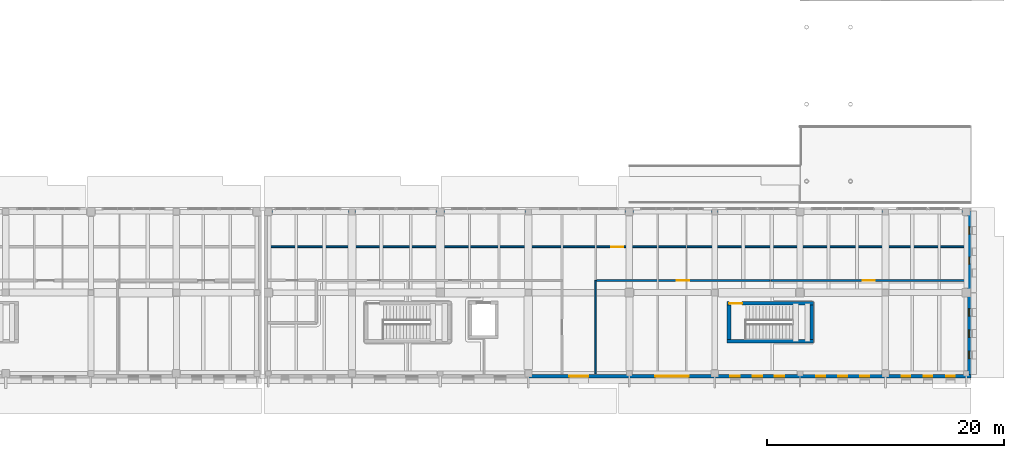
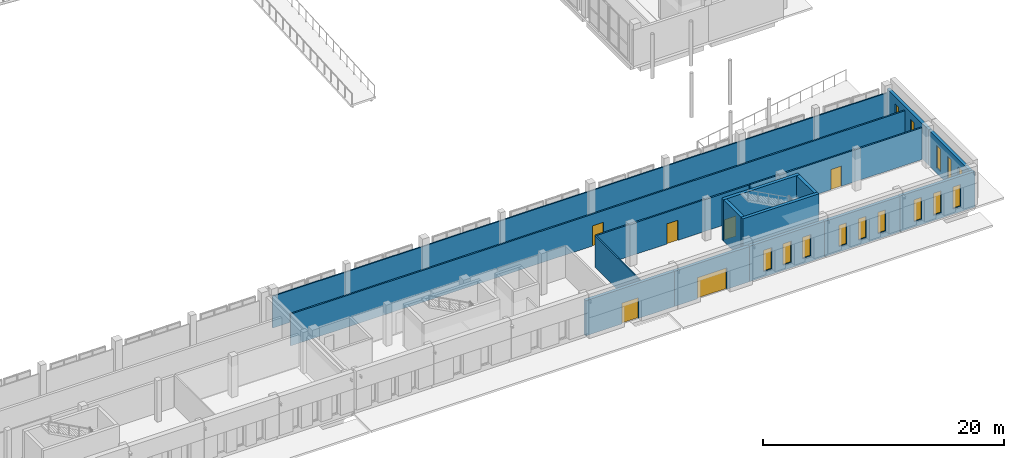
# One storey, part 60 of 77: 16 walls, 14 windows, 6 doors, 20 openings.
"""IFC4 building model written with IfcOpenShell, lengths in metres."""

from ifc_helpers import new_model, si_unit, direction, frame, frame_2d, origin, place, context, subcontext, project, spatial, rectangle, extrude, material, layer, layer_set, type_object, element, fill, save


model = new_model("IFC4")

# Units and contexts
model_context = context("Model", 3, precision=1e-05, world=origin(), true_north=direction((0.0, 1.0)))
body_context = subcontext(model_context, "Body", "Model", "MODEL_VIEW")
ifc_project = project(units=[si_unit("LENGTHUNIT", "METRE"), si_unit("AREAUNIT", "SQUARE_METRE"), si_unit("VOLUMEUNIT", "CUBIC_METRE"), si_unit("PLANEANGLEUNIT", "RADIAN"), si_unit("MASSUNIT", "GRAM", prefix="KILO")], contexts=[model_context])

# Site, building, storey
site_placement = place(None, origin())
site = spatial("IfcSite", under=ifc_project, at=site_placement, CompositionType="ELEMENT")
building_placement = place(site_placement, origin())
building = spatial("IfcBuilding", under=site, at=building_placement, Name="Vardoun Plaza Health Centre", CompositionType="ELEMENT")
storey_placement = place(building_placement, origin())
storey = spatial("IfcBuildingStorey", under=building, at=storey_placement, Name="L00", CompositionType="ELEMENT", Elevation=0.0)

# Walls
ifc_material_1 = material(Name="Concrete C40/50", Category="concrete")
ifc_layer_1 = layer(ifc_material_1, 0.300048828125)
ifc_layer_set_1 = layer_set([ifc_layer_1], Name="Concrete C40/50")
wall_type_1 = type_object("IfcWallType", Name="SW-01", PredefinedType="SHEAR", material=ifc_layer_set_1)
wall_1_placement = place(storey_placement, frame((152.050048828125, 7.60009765625, 0.0), z_axis=(0.0, 0.0, 1.0), x_axis=(-1.0, 0.0, 0.0)))
element("IfcWall", 1, at=wall_1_placement, inside=storey, type_object=wall_type_1, Name="Core C9 L00 Shear Wall S", PredefinedType="SHEAR", context=body_context, shape_type="SweptSolid", body=[
    extrude(rectangle(XDim=7.300048828125, YDim=0.300048828125, at=frame_2d((3.64990234375, 0.0))), origin(), (0.0, 0.0, 1.0), 4.205078125),
])
wall_2_placement = place(storey_placement, frame((144.89990234375, 7.75, 0.0), z_axis=(0.0, 0.0, 1.0), x_axis=(0.0, 1.0, 0.0)))
element("IfcWall", 2, at=wall_2_placement, inside=storey, type_object=wall_type_1, Name="Core C9 L00 Shear Wall W", PredefinedType="SHEAR", context=body_context, shape_type="SweptSolid", body=[
    extrude(rectangle(XDim=2.89990234375, YDim=0.300048828125, at=frame_2d((1.449951171875, 0.0))), origin(), (0.0, 0.0, 1.0), 4.205078125),
])

# Wall, opening, door
wall_3_placement = place(storey_placement, frame((144.75, 10.800048828125, 0.0), z_axis=(0.0, 0.0, 1.0), x_axis=(1.0, 0.0, 0.0)))
wall_3 = element("IfcWall", 3, at=wall_3_placement, inside=storey, type_object=wall_type_1, Name="Core C9 L00 Shear Wall N", PredefinedType="SHEAR", context=body_context, shape_type="SweptSolid", body=[
    extrude(rectangle(XDim=7.300048828125, YDim=0.300048828125, at=frame_2d((3.64990234375, 0.0))), origin(), (0.0, 0.0, 1.0), 4.205078125),
])
opening_1_placement = place(wall_3_placement, frame((0.159912109375, 0.0, 0.0)))
opening_1 = element("IfcOpeningElement", 4, at=opening_1_placement, cuts=wall_3, Name="Opening SD-C9-L00", PredefinedType="OPENING", context=body_context, shape_type="SweptSolid", body=[
    extrude(rectangle(XDim=1.10009765625, YDim=2.050048828125, at=frame_2d((0.550048828125, 1.02490234375))), frame((0.0, 0.14990234375, 0.0), z_axis=(0.0, -1.0, 0.0), x_axis=(1.0, 0.0, 0.0)), (0.0, 0.0, 1.0), 0.300048828125),
])
ifc_material_2 = material(Name="Brushed Stainless Steel Grade 316L", Category="steel")
door_type_1 = type_object("IfcDoorType", Name="FD-01", OperationType="NOTDEFINED", PredefinedType="DOOR", material=ifc_material_2)
door_1_placement = place(opening_1_placement, origin())
door_1 = element("IfcDoor", 5, at=door_1_placement, inside=storey, type_object=door_type_1, Name="Stair C9 L00 Fire Door", OperationType="SINGLE_SWING_RIGHT", OverallHeight=2.050048828125, OverallWidth=1.10009765625, PredefinedType="DOOR", context=body_context, shape_type="SweptSolid", body=[
    extrude(rectangle(XDim=1.10009765625, YDim=2.050048828125, at=frame_2d((0.550048828125, 1.02490234375))), frame((0.0, 0.02490234375, 0.0), z_axis=(0.0, -1.0, 0.0), x_axis=(1.0, 0.0, 0.0)), (0.0, 0.0, 1.0), 0.050048828125),
])
fill(opening_1, door_1)

# Wall
wall_4_placement = place(storey_placement, frame((151.89990234375, 10.64990234375, 0.0), z_axis=(0.0, 0.0, 1.0), x_axis=(0.0, -1.0, 0.0)))
element("IfcWall", 6, at=wall_4_placement, inside=storey, type_object=wall_type_1, Name="Core C9 L00 Shear Wall E", PredefinedType="SHEAR", context=body_context, shape_type="SweptSolid", body=[
    extrude(rectangle(XDim=2.89990234375, YDim=0.300048828125, at=frame_2d((1.449951171875, 0.0))), origin(), (0.0, 0.0, 1.0), 4.205078125),
])

# Wall, openings, windows
ifc_material_3 = material(Name="Pale Limestone Concrete C35/45", Category="masonry")
ifc_layer_2 = layer(ifc_material_3, 0.294921875)
ifc_layer_set_2 = layer_set([ifc_layer_2], Name="Pale Limestone Concrete C35/45")
wall_type_2 = type_object("IfcWallType", Name="EW-04", PredefinedType="STANDARD", material=ifc_layer_set_2)
wall_5_placement = place(storey_placement, frame((165.152587890625, 18.60498046875, 0.0), z_axis=(0.0, 0.0, 1.0), x_axis=(0.0, -1.0, 0.0)))
wall_5 = element("IfcWall", 7, at=wall_5_placement, inside=storey, type_object=wall_type_2, Name="V5 L00 Exterior Wall EW-V5-368", PredefinedType="STANDARD", context=body_context, shape_type="SweptSolid", body=[
    extrude(rectangle(XDim=6.905029296875, YDim=0.294921875, at=frame_2d((3.45263671875, 0.0))), origin(), (0.0, 0.0, 1.0), 3.570068359375),
])
opening_2_placement = place(wall_5_placement, frame((1.357177734375, 0.0, 0.550048828125)))
opening_2 = element("IfcOpeningElement", 8, at=opening_2_placement, cuts=wall_5, Name="Opening W-11-015", PredefinedType="OPENING", context=body_context, shape_type="SweptSolid", body=[
    extrude(rectangle(XDim=0.60009765625, YDim=2.280029296875, at=frame_2d((0.300048828125, 1.14013671875))), frame((0.0, 0.1474609375, 0.0), z_axis=(0.0, -1.0, 0.0), x_axis=(1.0, 0.0, 0.0)), (0.0, 0.0, 1.0), 0.294921875),
])
opening_3_placement = place(wall_5_placement, frame((3.902587890625, 0.0, 0.550048828125)))
opening_3 = element("IfcOpeningElement", 9, at=opening_3_placement, cuts=wall_5, Name="Opening W-11-016", PredefinedType="OPENING", context=body_context, shape_type="SweptSolid", body=[
    extrude(rectangle(XDim=0.60009765625, YDim=2.280029296875, at=frame_2d((0.300048828125, 1.14013671875))), frame((0.0, 0.1474609375, 0.0), z_axis=(0.0, -1.0, 0.0), x_axis=(1.0, 0.0, 0.0)), (0.0, 0.0, 1.0), 0.294921875),
])
ifc_material_4 = material(Name="Aluminium Alloy EN AW-6063-T6 and Low-E Glass", Category="aluminium")
window_type_1 = type_object("IfcWindowType", Name="W-11", PartitioningType="SINGLE_PANEL", PredefinedType="WINDOW", material=ifc_material_4)
window_1_placement = place(opening_2_placement, origin())
window_1 = element("IfcWindow", 10, at=window_1_placement, inside=storey, type_object=window_type_1, Name="V5 L00 Deep-Punched Slot Window W-11-545", OverallHeight=2.280029296875, OverallWidth=0.60009765625, PartitioningType="SINGLE_PANEL", PredefinedType="WINDOW", context=body_context, shape_type="SweptSolid", body=[
    extrude(rectangle(XDim=0.60009765625, YDim=2.280029296875, at=frame_2d((0.300048828125, 1.14013671875))), frame((0.0, 0.030029296875, 0.0), z_axis=(0.0, -1.0, 0.0), x_axis=(1.0, 0.0, 0.0)), (0.0, 0.0, 1.0), 0.06005859375),
])
fill(opening_2, window_1)
window_2_placement = place(opening_3_placement, origin())
window_2 = element("IfcWindow", 11, at=window_2_placement, inside=storey, type_object=window_type_1, Name="V5 L00 Deep-Punched Slot Window W-11-546", OverallHeight=2.280029296875, OverallWidth=0.60009765625, PartitioningType="SINGLE_PANEL", PredefinedType="WINDOW", context=body_context, shape_type="SweptSolid", body=[
    extrude(rectangle(XDim=0.60009765625, YDim=2.280029296875, at=frame_2d((0.300048828125, 1.14013671875))), frame((0.0, 0.030029296875, 0.0), z_axis=(0.0, -1.0, 0.0), x_axis=(1.0, 0.0, 0.0)), (0.0, 0.0, 1.0), 0.06005859375),
])
fill(opening_3, window_2)

wall_6_placement = place(storey_placement, frame((165.152587890625, 11.699951171875, 0.0), z_axis=(0.0, 0.0, 1.0), x_axis=(0.0, -1.0, 0.0)))
wall_6 = element("IfcWall", 12, at=wall_6_placement, inside=storey, type_object=wall_type_2, Name="V5 L00 Exterior Wall EW-V5-369", PredefinedType="STANDARD", context=body_context, shape_type="SweptSolid", body=[
    extrude(rectangle(XDim=6.905029296875, YDim=0.294921875, at=frame_2d((3.45263671875, 0.0))), origin(), (0.0, 0.0, 1.0), 3.570068359375),
])
opening_4_placement = place(wall_6_placement, frame((1.337158203125, 0.0, 0.550048828125)))
opening_4 = element("IfcOpeningElement", 13, at=opening_4_placement, cuts=wall_6, Name="Opening W-12-013", PredefinedType="OPENING", context=body_context, shape_type="SweptSolid", body=[
    extrude(rectangle(XDim=0.639892578125, YDim=2.280029296875, at=frame_2d((0.31982421875, 1.14013671875))), frame((0.0, 0.1474609375, 0.0), z_axis=(0.0, -1.0, 0.0), x_axis=(1.0, 0.0, 0.0)), (0.0, 0.0, 1.0), 0.294921875),
])
opening_5_placement = place(wall_6_placement, frame((3.132568359375, 0.0, 0.550048828125)))
opening_5 = element("IfcOpeningElement", 14, at=opening_5_placement, cuts=wall_6, Name="Opening W-12-014", PredefinedType="OPENING", context=body_context, shape_type="SweptSolid", body=[
    extrude(rectangle(XDim=0.639892578125, YDim=2.280029296875, at=frame_2d((0.31982421875, 1.14013671875))), frame((0.0, 0.1474609375, 0.0), z_axis=(0.0, -1.0, 0.0), x_axis=(1.0, 0.0, 0.0)), (0.0, 0.0, 1.0), 0.294921875),
])
opening_6_placement = place(wall_6_placement, frame((4.927734375, 0.0, 0.550048828125)))
opening_6 = element("IfcOpeningElement", 15, at=opening_6_placement, cuts=wall_6, Name="Opening W-12-015", PredefinedType="OPENING", context=body_context, shape_type="SweptSolid", body=[
    extrude(rectangle(XDim=0.639892578125, YDim=2.280029296875, at=frame_2d((0.31982421875, 1.14013671875))), frame((0.0, 0.1474609375, 0.0), z_axis=(0.0, -1.0, 0.0), x_axis=(1.0, 0.0, 0.0)), (0.0, 0.0, 1.0), 0.294921875),
])
ifc_material_5 = material(Name="Aluminium Alloy EN AW-6063-T6 and Low-E Glass", Category="aluminium")
window_type_2 = type_object("IfcWindowType", Name="W-12", PartitioningType="SINGLE_PANEL", PredefinedType="WINDOW", material=ifc_material_5)
window_3_placement = place(opening_4_placement, origin())
window_3 = element("IfcWindow", 16, at=window_3_placement, inside=storey, type_object=window_type_2, Name="V5 L00 Deep-Punched Slot Window W-12-548", OverallHeight=2.280029296875, OverallWidth=0.639892578125, PartitioningType="SINGLE_PANEL", PredefinedType="WINDOW", context=body_context, shape_type="SweptSolid", body=[
    extrude(rectangle(XDim=0.639892578125, YDim=2.280029296875, at=frame_2d((0.31982421875, 1.14013671875))), frame((0.0, 0.030029296875, 0.0), z_axis=(0.0, -1.0, 0.0), x_axis=(1.0, 0.0, 0.0)), (0.0, 0.0, 1.0), 0.06005859375),
])
fill(opening_4, window_3)
window_4_placement = place(opening_5_placement, origin())
window_4 = element("IfcWindow", 17, at=window_4_placement, inside=storey, type_object=window_type_2, Name="V5 L00 Deep-Punched Slot Window W-12-549", OverallHeight=2.280029296875, OverallWidth=0.639892578125, PartitioningType="SINGLE_PANEL", PredefinedType="WINDOW", context=body_context, shape_type="SweptSolid", body=[
    extrude(rectangle(XDim=0.639892578125, YDim=2.280029296875, at=frame_2d((0.31982421875, 1.14013671875))), frame((0.0, 0.030029296875, 0.0), z_axis=(0.0, -1.0, 0.0), x_axis=(1.0, 0.0, 0.0)), (0.0, 0.0, 1.0), 0.06005859375),
])
fill(opening_5, window_4)
window_5_placement = place(opening_6_placement, origin())
window_5 = element("IfcWindow", 18, at=window_5_placement, inside=storey, type_object=window_type_2, Name="V5 L00 Deep-Punched Slot Window W-12-550", OverallHeight=2.280029296875, OverallWidth=0.639892578125, PartitioningType="SINGLE_PANEL", PredefinedType="WINDOW", context=body_context, shape_type="SweptSolid", body=[
    extrude(rectangle(XDim=0.639892578125, YDim=2.280029296875, at=frame_2d((0.31982421875, 1.14013671875))), frame((0.0, 0.030029296875, 0.0), z_axis=(0.0, -1.0, 0.0), x_axis=(1.0, 0.0, 0.0)), (0.0, 0.0, 1.0), 0.06005859375),
])
fill(opening_6, window_5)

wall_7_placement = place(storey_placement, frame((165.300048828125, 4.6474609375, 0.0), z_axis=(0.0, 0.0, 1.0), x_axis=(-1.0, 0.0, 0.0)))
wall_7 = element("IfcWall", 19, at=wall_7_placement, inside=storey, type_object=wall_type_2, Name="V5 L00 Exterior Wall EW-V5-370", PredefinedType="STANDARD", context=body_context, shape_type="SweptSolid", body=[
    extrude(rectangle(XDim=7.199951171875, YDim=0.294921875, at=frame_2d((3.60009765625, 0.0))), origin(), (0.0, 0.0, 1.0), 3.610107421875),
])
opening_7_placement = place(wall_7_placement, frame((1.367919921875, 0.0, 0.550048828125)))
opening_7 = element("IfcOpeningElement", 20, at=opening_7_placement, cuts=wall_7, Name="Opening W-14-008", PredefinedType="OPENING", context=body_context, shape_type="SweptSolid", body=[
    extrude(rectangle(XDim=0.719970703125, YDim=2.219970703125, at=frame_2d((0.35986328125, 1.10986328125))), frame((0.0, 0.1474609375, 0.0), z_axis=(0.0, -1.0, 0.0), x_axis=(1.0, 0.0, 0.0)), (0.0, 0.0, 1.0), 0.294921875),
])
opening_8_placement = place(wall_7_placement, frame((3.239990234375, 0.0, 0.550048828125)))
opening_8 = element("IfcOpeningElement", 21, at=opening_8_placement, cuts=wall_7, Name="Opening W-14-009", PredefinedType="OPENING", context=body_context, shape_type="SweptSolid", body=[
    extrude(rectangle(XDim=0.719970703125, YDim=2.219970703125, at=frame_2d((0.35986328125, 1.10986328125))), frame((0.0, 0.1474609375, 0.0), z_axis=(0.0, -1.0, 0.0), x_axis=(1.0, 0.0, 0.0)), (0.0, 0.0, 1.0), 0.294921875),
])
opening_9_placement = place(wall_7_placement, frame((5.112060546875, 0.0, 0.550048828125)))
opening_9 = element("IfcOpeningElement", 22, at=opening_9_placement, cuts=wall_7, Name="Opening W-14-010", PredefinedType="OPENING", context=body_context, shape_type="SweptSolid", body=[
    extrude(rectangle(XDim=0.719970703125, YDim=2.219970703125, at=frame_2d((0.35986328125, 1.10986328125))), frame((0.0, 0.1474609375, 0.0), z_axis=(0.0, -1.0, 0.0), x_axis=(1.0, 0.0, 0.0)), (0.0, 0.0, 1.0), 0.294921875),
])
ifc_material_6 = material(Name="Aluminium Alloy EN AW-6063-T6 and Low-E Glass", Category="aluminium")
window_type_3 = type_object("IfcWindowType", Name="W-14", PartitioningType="SINGLE_PANEL", PredefinedType="WINDOW", material=ifc_material_6)
window_6_placement = place(opening_7_placement, origin())
window_6 = element("IfcWindow", 23, at=window_6_placement, inside=storey, type_object=window_type_3, Name="V5 L00 Deep-Punched Slot Window W-14-551", OverallHeight=2.219970703125, OverallWidth=0.719970703125, PartitioningType="SINGLE_PANEL", PredefinedType="WINDOW", context=body_context, shape_type="SweptSolid", body=[
    extrude(rectangle(XDim=0.719970703125, YDim=2.219970703125, at=frame_2d((0.35986328125, 1.10986328125))), frame((0.0, 0.030029296875, 0.0), z_axis=(0.0, -1.0, 0.0), x_axis=(1.0, 0.0, 0.0)), (0.0, 0.0, 1.0), 0.06005859375),
])
fill(opening_7, window_6)
window_7_placement = place(opening_8_placement, origin())
window_7 = element("IfcWindow", 24, at=window_7_placement, inside=storey, type_object=window_type_3, Name="V5 L00 Deep-Punched Slot Window W-14-552", OverallHeight=2.219970703125, OverallWidth=0.719970703125, PartitioningType="SINGLE_PANEL", PredefinedType="WINDOW", context=body_context, shape_type="SweptSolid", body=[
    extrude(rectangle(XDim=0.719970703125, YDim=2.219970703125, at=frame_2d((0.35986328125, 1.10986328125))), frame((0.0, 0.030029296875, 0.0), z_axis=(0.0, -1.0, 0.0), x_axis=(1.0, 0.0, 0.0)), (0.0, 0.0, 1.0), 0.06005859375),
])
fill(opening_8, window_7)
window_8_placement = place(opening_9_placement, origin())
window_8 = element("IfcWindow", 25, at=window_8_placement, inside=storey, type_object=window_type_3, Name="V5 L00 Deep-Punched Slot Window W-14-553", OverallHeight=2.219970703125, OverallWidth=0.719970703125, PartitioningType="SINGLE_PANEL", PredefinedType="WINDOW", context=body_context, shape_type="SweptSolid", body=[
    extrude(rectangle(XDim=0.719970703125, YDim=2.219970703125, at=frame_2d((0.35986328125, 1.10986328125))), frame((0.0, 0.030029296875, 0.0), z_axis=(0.0, -1.0, 0.0), x_axis=(1.0, 0.0, 0.0)), (0.0, 0.0, 1.0), 0.06005859375),
])
fill(opening_9, window_8)

wall_8_placement = place(storey_placement, frame((158.10009765625, 4.6474609375, 0.0), z_axis=(0.0, 0.0, 1.0), x_axis=(-1.0, 0.0, 0.0)))
wall_8 = element("IfcWall", 26, at=wall_8_placement, inside=storey, type_object=wall_type_2, Name="V5 L00 Exterior Wall EW-V5-371", PredefinedType="STANDARD", context=body_context, shape_type="SweptSolid", body=[
    extrude(rectangle(XDim=7.2001953125, YDim=0.294921875, at=frame_2d((3.60009765625, 0.0))), origin(), (0.0, 0.0, 1.0), 3.590087890625),
])
opening_10_placement = place(wall_8_placement, frame((1.347900390625, 0.0, 0.550048828125)))
opening_10 = element("IfcOpeningElement", 27, at=opening_10_placement, cuts=wall_8, Name="Opening W-15-007", PredefinedType="OPENING", context=body_context, shape_type="SweptSolid", body=[
    extrude(rectangle(XDim=0.760009765625, YDim=2.159912109375, at=frame_2d((0.3798828125, 1.080078125))), frame((0.0, 0.1474609375, 0.0), z_axis=(0.0, -1.0, 0.0), x_axis=(1.0, 0.0, 0.0)), (0.0, 0.0, 1.0), 0.294921875),
])
opening_11_placement = place(wall_8_placement, frame((3.219970703125, 0.0, 0.550048828125)))
opening_11 = element("IfcOpeningElement", 28, at=opening_11_placement, cuts=wall_8, Name="Opening W-15-008", PredefinedType="OPENING", context=body_context, shape_type="SweptSolid", body=[
    extrude(rectangle(XDim=0.760009765625, YDim=2.159912109375, at=frame_2d((0.3798828125, 1.080078125))), frame((0.0, 0.1474609375, 0.0), z_axis=(0.0, -1.0, 0.0), x_axis=(1.0, 0.0, 0.0)), (0.0, 0.0, 1.0), 0.294921875),
])
opening_12_placement = place(wall_8_placement, frame((5.092041015625, 0.0, 0.550048828125)))
opening_12 = element("IfcOpeningElement", 29, at=opening_12_placement, cuts=wall_8, Name="Opening W-15-009", PredefinedType="OPENING", context=body_context, shape_type="SweptSolid", body=[
    extrude(rectangle(XDim=0.760009765625, YDim=2.159912109375, at=frame_2d((0.3798828125, 1.080078125))), frame((0.0, 0.1474609375, 0.0), z_axis=(0.0, -1.0, 0.0), x_axis=(1.0, 0.0, 0.0)), (0.0, 0.0, 1.0), 0.294921875),
])
ifc_material_7 = material(Name="Aluminium Alloy EN AW-6063-T6 and Low-E Glass", Category="aluminium")
window_type_4 = type_object("IfcWindowType", Name="W-15", PartitioningType="SINGLE_PANEL", PredefinedType="WINDOW", material=ifc_material_7)
window_9_placement = place(opening_10_placement, origin())
window_9 = element("IfcWindow", 30, at=window_9_placement, inside=storey, type_object=window_type_4, Name="V5 L00 Deep-Punched Slot Window W-15-554", OverallHeight=2.159912109375, OverallWidth=0.760009765625, PartitioningType="SINGLE_PANEL", PredefinedType="WINDOW", context=body_context, shape_type="SweptSolid", body=[
    extrude(rectangle(XDim=0.760009765625, YDim=2.159912109375, at=frame_2d((0.3798828125, 1.080078125))), frame((0.0, 0.030029296875, 0.0), z_axis=(0.0, -1.0, 0.0), x_axis=(1.0, 0.0, 0.0)), (0.0, 0.0, 1.0), 0.06005859375),
])
fill(opening_10, window_9)
window_10_placement = place(opening_11_placement, origin())
window_10 = element("IfcWindow", 31, at=window_10_placement, inside=storey, type_object=window_type_4, Name="V5 L00 Deep-Punched Slot Window W-15-555", OverallHeight=2.159912109375, OverallWidth=0.760009765625, PartitioningType="SINGLE_PANEL", PredefinedType="WINDOW", context=body_context, shape_type="SweptSolid", body=[
    extrude(rectangle(XDim=0.760009765625, YDim=2.159912109375, at=frame_2d((0.3798828125, 1.080078125))), frame((0.0, 0.030029296875, 0.0), z_axis=(0.0, -1.0, 0.0), x_axis=(1.0, 0.0, 0.0)), (0.0, 0.0, 1.0), 0.06005859375),
])
fill(opening_11, window_10)
window_11_placement = place(opening_12_placement, origin())
window_11 = element("IfcWindow", 32, at=window_11_placement, inside=storey, type_object=window_type_4, Name="V5 L00 Deep-Punched Slot Window W-15-556", OverallHeight=2.159912109375, OverallWidth=0.760009765625, PartitioningType="SINGLE_PANEL", PredefinedType="WINDOW", context=body_context, shape_type="SweptSolid", body=[
    extrude(rectangle(XDim=0.760009765625, YDim=2.159912109375, at=frame_2d((0.3798828125, 1.080078125))), frame((0.0, 0.030029296875, 0.0), z_axis=(0.0, -1.0, 0.0), x_axis=(1.0, 0.0, 0.0)), (0.0, 0.0, 1.0), 0.06005859375),
])
fill(opening_12, window_11)

wall_9_placement = place(storey_placement, frame((150.89990234375, 4.6474609375, 0.0), z_axis=(0.0, 0.0, 1.0), x_axis=(-1.0, 0.0, 0.0)))
wall_9 = element("IfcWall", 33, at=wall_9_placement, inside=storey, type_object=wall_type_2, Name="V5 L00 Exterior Wall EW-V5-372", PredefinedType="STANDARD", context=body_context, shape_type="SweptSolid", body=[
    extrude(rectangle(XDim=7.199951171875, YDim=0.294921875, at=frame_2d((3.60009765625, 0.0))), origin(), (0.0, 0.0, 1.0), 3.590087890625),
])
opening_13_placement = place(wall_9_placement, frame((1.327880859375, 0.0, 0.550048828125)))
opening_13 = element("IfcOpeningElement", 34, at=opening_13_placement, cuts=wall_9, Name="Opening W-16-007", PredefinedType="OPENING", context=body_context, shape_type="SweptSolid", body=[
    extrude(rectangle(XDim=0.800048828125, YDim=2.159912109375, at=frame_2d((0.39990234375, 1.080078125))), frame((0.0, 0.1474609375, 0.0), z_axis=(0.0, -1.0, 0.0), x_axis=(1.0, 0.0, 0.0)), (0.0, 0.0, 1.0), 0.294921875),
])
opening_14_placement = place(wall_9_placement, frame((3.199951171875, 0.0, 0.550048828125)))
opening_14 = element("IfcOpeningElement", 35, at=opening_14_placement, cuts=wall_9, Name="Opening W-16-008", PredefinedType="OPENING", context=body_context, shape_type="SweptSolid", body=[
    extrude(rectangle(XDim=0.800048828125, YDim=2.159912109375, at=frame_2d((0.39990234375, 1.080078125))), frame((0.0, 0.1474609375, 0.0), z_axis=(0.0, -1.0, 0.0), x_axis=(1.0, 0.0, 0.0)), (0.0, 0.0, 1.0), 0.294921875),
])
opening_15_placement = place(wall_9_placement, frame((5.072021484375, 0.0, 0.550048828125)))
opening_15 = element("IfcOpeningElement", 36, at=opening_15_placement, cuts=wall_9, Name="Opening W-16-009", PredefinedType="OPENING", context=body_context, shape_type="SweptSolid", body=[
    extrude(rectangle(XDim=0.800048828125, YDim=2.159912109375, at=frame_2d((0.39990234375, 1.080078125))), frame((0.0, 0.1474609375, 0.0), z_axis=(0.0, -1.0, 0.0), x_axis=(1.0, 0.0, 0.0)), (0.0, 0.0, 1.0), 0.294921875),
])
ifc_material_8 = material(Name="Aluminium Alloy EN AW-6063-T6 and Low-E Glass", Category="aluminium")
window_type_5 = type_object("IfcWindowType", Name="W-16", PartitioningType="SINGLE_PANEL", PredefinedType="WINDOW", material=ifc_material_8)
window_12_placement = place(opening_13_placement, origin())
window_12 = element("IfcWindow", 37, at=window_12_placement, inside=storey, type_object=window_type_5, Name="V5 L00 Deep-Punched Slot Window W-16-557", OverallHeight=2.159912109375, OverallWidth=0.800048828125, PartitioningType="SINGLE_PANEL", PredefinedType="WINDOW", context=body_context, shape_type="SweptSolid", body=[
    extrude(rectangle(XDim=0.800048828125, YDim=2.159912109375, at=frame_2d((0.39990234375, 1.080078125))), frame((0.0, 0.030029296875, 0.0), z_axis=(0.0, -1.0, 0.0), x_axis=(1.0, 0.0, 0.0)), (0.0, 0.0, 1.0), 0.06005859375),
])
fill(opening_13, window_12)
window_13_placement = place(opening_14_placement, origin())
window_13 = element("IfcWindow", 38, at=window_13_placement, inside=storey, type_object=window_type_5, Name="V5 L00 Deep-Punched Slot Window W-16-558", OverallHeight=2.159912109375, OverallWidth=0.800048828125, PartitioningType="SINGLE_PANEL", PredefinedType="WINDOW", context=body_context, shape_type="SweptSolid", body=[
    extrude(rectangle(XDim=0.800048828125, YDim=2.159912109375, at=frame_2d((0.39990234375, 1.080078125))), frame((0.0, 0.030029296875, 0.0), z_axis=(0.0, -1.0, 0.0), x_axis=(1.0, 0.0, 0.0)), (0.0, 0.0, 1.0), 0.06005859375),
])
fill(opening_14, window_13)
window_14_placement = place(opening_15_placement, origin())
window_14 = element("IfcWindow", 39, at=window_14_placement, inside=storey, type_object=window_type_5, Name="V5 L00 Deep-Punched Slot Window W-16-559", OverallHeight=2.159912109375, OverallWidth=0.800048828125, PartitioningType="SINGLE_PANEL", PredefinedType="WINDOW", context=body_context, shape_type="SweptSolid", body=[
    extrude(rectangle(XDim=0.800048828125, YDim=2.159912109375, at=frame_2d((0.39990234375, 1.080078125))), frame((0.0, 0.030029296875, 0.0), z_axis=(0.0, -1.0, 0.0), x_axis=(1.0, 0.0, 0.0)), (0.0, 0.0, 1.0), 0.06005859375),
])
fill(opening_15, window_14)

# Wall, opening, door
wall_10_placement = place(storey_placement, frame((143.699951171875, 4.6474609375, 0.0), z_axis=(0.0, 0.0, 1.0), x_axis=(-1.0, 0.0, 0.0)))
wall_10 = element("IfcWall", 40, at=wall_10_placement, inside=storey, type_object=wall_type_2, Name="V5 L00 Exterior Wall EW-V5-373", PredefinedType="STANDARD", context=body_context, shape_type="SweptSolid", body=[
    extrude(rectangle(XDim=7.199951171875, YDim=0.294921875, at=frame_2d((3.60009765625, 0.0))), origin(), (0.0, 0.0, 1.0), 3.570068359375),
])
opening_16_placement = place(wall_10_placement, frame((2.199951171875, 0.0, 0.0)))
opening_16 = element("IfcOpeningElement", 41, at=opening_16_placement, cuts=wall_10, Name="Opening D-00-SV1", PredefinedType="OPENING", context=body_context, shape_type="SweptSolid", body=[
    extrude(rectangle(XDim=2.800048828125, YDim=2.14990234375, at=frame_2d((1.39990234375, 1.074951171875))), frame((0.0, 0.1474609375, 0.0), z_axis=(0.0, -1.0, 0.0), x_axis=(1.0, 0.0, 0.0)), (0.0, 0.0, 1.0), 0.294921875),
])
ifc_material_9 = material(Name="Galvanised Steel S275JR Service Roller Shutter", Category="steel")
door_type_2 = type_object("IfcDoorType", Name="ED-SV", OperationType="ROLLINGUP", PredefinedType="GATE", material=ifc_material_9)
door_2_placement = place(opening_16_placement, origin())
door_2 = element("IfcDoor", 42, at=door_2_placement, inside=storey, type_object=door_type_2, Name="Day Surgery Sterile Supply Service Shutter D-00-SV1", OperationType="ROLLINGUP", OverallHeight=2.14990234375, OverallWidth=2.800048828125, PredefinedType="GATE", context=body_context, shape_type="SweptSolid", body=[
    extrude(rectangle(XDim=2.800048828125, YDim=2.14990234375, at=frame_2d((1.39990234375, 1.074951171875))), frame((0.0, 0.02490234375, 0.0), z_axis=(0.0, -1.0, 0.0), x_axis=(1.0, 0.0, 0.0)), (0.0, 0.0, 1.0), 0.050048828125),
])
fill(opening_16, door_2)

wall_11_placement = place(storey_placement, frame((136.5, 4.6474609375, 0.0), z_axis=(0.0, 0.0, 1.0), x_axis=(-1.0, 0.0, 0.0)))
wall_11 = element("IfcWall", 43, at=wall_11_placement, inside=storey, type_object=wall_type_2, Name="V5 L00 Exterior Wall EW-V5-374", PredefinedType="STANDARD", context=body_context, shape_type="SweptSolid", body=[
    extrude(rectangle(XDim=8.52001953125, YDim=0.294921875, at=frame_2d((4.260009765625, 0.0))), origin(), (0.0, 0.0, 1.0), 3.570068359375),
])
opening_17_placement = place(wall_11_placement, frame((3.4599609375, 0.0, 0.0)))
opening_17 = element("IfcOpeningElement", 44, at=opening_17_placement, cuts=wall_11, Name="Opening D-00-E07", PredefinedType="OPENING", context=body_context, shape_type="SweptSolid", body=[
    extrude(rectangle(XDim=1.60009765625, YDim=2.10009765625, at=frame_2d((0.800048828125, 1.050048828125))), frame((0.0, 0.1474609375, 0.0), z_axis=(0.0, -1.0, 0.0), x_axis=(1.0, 0.0, 0.0)), (0.0, 0.0, 1.0), 0.294921875),
])
ifc_material_10 = material(Name="Aluminium Alloy EN AW-6063-T6 Glazed Exit Door", Category="aluminium")
door_type_3 = type_object("IfcDoorType", Name="ED-02", OperationType="DOUBLE_DOOR_SINGLE_SWING", PredefinedType="DOOR", material=ifc_material_10)
door_3_placement = place(opening_17_placement, origin())
door_3 = element("IfcDoor", 45, at=door_3_placement, inside=storey, type_object=door_type_3, Name="V5 Ground Final Exit Door D-00-E07", OperationType="DOUBLE_DOOR_SINGLE_SWING", OverallHeight=2.10009765625, OverallWidth=1.60009765625, PredefinedType="DOOR", context=body_context, shape_type="SweptSolid", body=[
    extrude(rectangle(XDim=1.60009765625, YDim=2.10009765625, at=frame_2d((0.800048828125, 1.050048828125))), frame((0.0, 0.02490234375, 0.0), z_axis=(0.0, -1.0, 0.0), x_axis=(1.0, 0.0, 0.0)), (0.0, 0.0, 1.0), 0.050048828125),
])
fill(opening_17, door_3)

ifc_material_11 = material(Name="Acoustic Gypsum Twin-Stud", Category="steel")
ifc_layer_3 = layer(ifc_material_11, 0.14990234375)
ifc_layer_set_3 = layer_set([ifc_layer_3], Name="Acoustic Gypsum Twin-Stud")
wall_type_3 = type_object("IfcWallType", Name="IW-04", PredefinedType="PARTITIONING", material=ifc_layer_set_3)
wall_12_placement = place(storey_placement, frame((164.949951171875, 15.570068359375, 0.0), z_axis=(0.0, 0.0, 1.0), x_axis=(-1.0, 0.0, 0.0)))
wall_12 = element("IfcWall", 46, at=wall_12_placement, inside=storey, type_object=wall_type_3, Name="Pre-Operative Assessment Clinic 1 Partition Wall", PredefinedType="PARTITIONING", context=body_context, shape_type="SweptSolid", body=[
    extrude(rectangle(XDim=58.93994140625, YDim=0.14990234375, at=frame_2d((29.469970703125, 0.0))), origin(), (0.0, 0.0, 1.0), 3.22509765625),
])
opening_18_placement = place(wall_12_placement, frame((28.949951171875, 0.0, 0.0)))
opening_18 = element("IfcOpeningElement", 47, at=opening_18_placement, cuts=wall_12, Name="Opening D-L00-135", PredefinedType="OPENING", context=body_context, shape_type="SweptSolid", body=[
    extrude(rectangle(XDim=1.0400390625, YDim=2.050048828125, at=frame_2d((0.52001953125, 1.02490234375))), frame((0.0, 0.074951171875, 0.0), z_axis=(0.0, -1.0, 0.0), x_axis=(1.0, 0.0, 0.0)), (0.0, 0.0, 1.0), 0.14990234375),
])
ifc_material_12 = material(Name="Antimicrobial Acoustic Timber and Steel S275JR", Category="steel")
door_type_4 = type_object("IfcDoorType", Name="CD-04", OperationType="NOTDEFINED", PredefinedType="DOOR", material=ifc_material_12)
door_4_placement = place(opening_18_placement, origin())
door_4 = element("IfcDoor", 48, at=door_4_placement, inside=storey, type_object=door_type_4, Name="Pre-Operative Assessment Clinic 1 Door D-L00-135", OperationType="SINGLE_SWING_LEFT", OverallHeight=2.050048828125, OverallWidth=1.0400390625, PredefinedType="DOOR", context=body_context, shape_type="SweptSolid", body=[
    extrude(rectangle(XDim=1.0400390625, YDim=2.050048828125, at=frame_2d((0.52001953125, 1.02490234375))), frame((0.0, 0.02490234375, 0.0), z_axis=(0.0, -1.0, 0.0), x_axis=(1.0, 0.0, 0.0)), (0.0, 0.0, 1.0), 0.050048828125),
])
fill(opening_18, door_4)

wall_13_placement = place(storey_placement, frame((148.43994140625, 12.72998046875, 0.0), z_axis=(0.0, 0.0, 1.0), x_axis=(1.0, 0.0, 0.0)))
wall_13 = element("IfcWall", 49, at=wall_13_placement, inside=storey, type_object=wall_type_3, Name="Pre-Operative Assessment Clinic 2 Partition Wall", PredefinedType="PARTITIONING", context=body_context, shape_type="SweptSolid", body=[
    extrude(rectangle(XDim=16.510009765625, YDim=0.14990234375, at=frame_2d((8.2548828125, 0.0))), origin(), (0.0, 0.0, 1.0), 3.22509765625),
])
opening_19_placement = place(wall_13_placement, frame((7.7548828125, 0.0, 0.0)))
opening_19 = element("IfcOpeningElement", 50, at=opening_19_placement, cuts=wall_13, Name="Opening D-L00-136", PredefinedType="OPENING", context=body_context, shape_type="SweptSolid", body=[
    extrude(rectangle(XDim=1.0, YDim=2.050048828125, at=frame_2d((0.5, 1.02490234375))), frame((0.0, 0.074951171875, 0.0), z_axis=(0.0, -1.0, 0.0), x_axis=(1.0, 0.0, 0.0)), (0.0, 0.0, 1.0), 0.14990234375),
])
ifc_material_13 = material(Name="Antimicrobial Acoustic Timber and Steel S275JR", Category="steel")
door_type_5 = type_object("IfcDoorType", Name="CD-03", OperationType="NOTDEFINED", PredefinedType="DOOR", material=ifc_material_13)
door_5_placement = place(opening_19_placement, origin())
door_5 = element("IfcDoor", 51, at=door_5_placement, inside=storey, type_object=door_type_5, Name="Pre-Operative Assessment Clinic 2 Door D-L00-136", OperationType="SINGLE_SWING_LEFT", OverallHeight=2.050048828125, OverallWidth=1.0, PredefinedType="DOOR", context=body_context, shape_type="SweptSolid", body=[
    extrude(rectangle(XDim=1.0, YDim=2.050048828125, at=frame_2d((0.5, 1.02490234375))), frame((0.0, 0.02490234375, 0.0), z_axis=(0.0, -1.0, 0.0), x_axis=(1.0, 0.0, 0.0)), (0.0, 0.0, 1.0), 0.050048828125),
])
fill(opening_19, door_5)

wall_14_placement = place(storey_placement, frame((133.659912109375, 12.72998046875, 0.0), z_axis=(0.0, 0.0, 1.0), x_axis=(1.0, 0.0, 0.0)))
wall_14 = element("IfcWall", 52, at=wall_14_placement, inside=storey, type_object=wall_type_3, Name="Anaesthesia Consultation Room Partition Wall", PredefinedType="PARTITIONING", context=body_context, shape_type="SweptSolid", body=[
    extrude(rectangle(XDim=14.7001953125, YDim=0.14990234375, at=frame_2d((7.35009765625, 0.0))), origin(), (0.0, 0.0, 1.0), 3.22509765625),
])
opening_20_placement = place(wall_14_placement, frame((6.830078125, 0.0, 0.0)))
opening_20 = element("IfcOpeningElement", 53, at=opening_20_placement, cuts=wall_14, Name="Opening D-L00-137", PredefinedType="OPENING", context=body_context, shape_type="SweptSolid", body=[
    extrude(rectangle(XDim=1.0400390625, YDim=2.050048828125, at=frame_2d((0.52001953125, 1.02490234375))), frame((0.0, 0.074951171875, 0.0), z_axis=(0.0, -1.0, 0.0), x_axis=(1.0, 0.0, 0.0)), (0.0, 0.0, 1.0), 0.14990234375),
])
door_6_placement = place(opening_20_placement, origin())
door_6 = element("IfcDoor", 54, at=door_6_placement, inside=storey, type_object=door_type_4, Name="Anaesthesia Consultation Room Door D-L00-137", OperationType="SINGLE_SWING_LEFT", OverallHeight=2.050048828125, OverallWidth=1.0400390625, PredefinedType="DOOR", context=body_context, shape_type="SweptSolid", body=[
    extrude(rectangle(XDim=1.0400390625, YDim=2.050048828125, at=frame_2d((0.52001953125, 1.02490234375))), frame((0.0, 0.02490234375, 0.0), z_axis=(0.0, -1.0, 0.0), x_axis=(1.0, 0.0, 0.0)), (0.0, 0.0, 1.0), 0.050048828125),
])
fill(opening_20, door_6)

# Walls
ifc_material_14 = material(Name="Standard Clinical Sub-Partition", Category="steel")
ifc_layer_4 = layer(ifc_material_14, 0.125)
ifc_layer_set_4 = layer_set([ifc_layer_4], Name="Standard Clinical Sub-Partition")
wall_type_4 = type_object("IfcWallType", Name="IW-11", PredefinedType="PARTITIONING", material=ifc_layer_set_4)
wall_15_placement = place(storey_placement, frame((106.010009765625, 18.550048828125, 0.0), z_axis=(0.0, 0.0, 1.0), x_axis=(1.0, 0.0, 0.0)))
element("IfcWall", 55, at=wall_15_placement, inside=storey, type_object=wall_type_4, Name="Pre-Operative Assessment Clinic 1 Enclosure Partition", PredefinedType="PARTITIONING", context=body_context, shape_type="SweptSolid", body=[
    extrude(rectangle(XDim=58.93994140625, YDim=0.125, at=frame_2d((29.469970703125, 0.0))), origin(), (0.0, 0.0, 1.0), 3.22509765625),
])
wall_16_placement = place(storey_placement, frame((133.659912109375, 4.85009765625, 0.0), z_axis=(0.0, 0.0, 1.0), x_axis=(0.0, 1.0, 0.0)))
element("IfcWall", 56, at=wall_16_placement, inside=storey, type_object=wall_type_4, Name="Anaesthesia Consultation Room Enclosure Partition", PredefinedType="PARTITIONING", context=body_context, shape_type="SweptSolid", body=[
    extrude(rectangle(XDim=7.8798828125, YDim=0.125, at=frame_2d((3.93994140625, 0.0))), origin(), (0.0, 0.0, 1.0), 3.22509765625),
])

save(model, "model.ifc")
